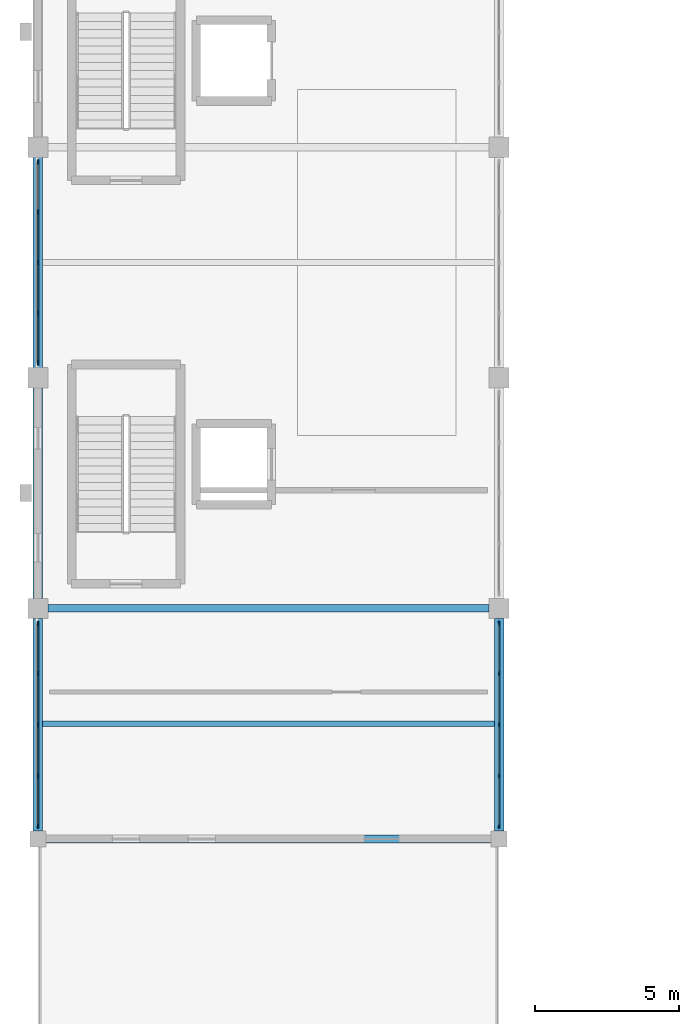
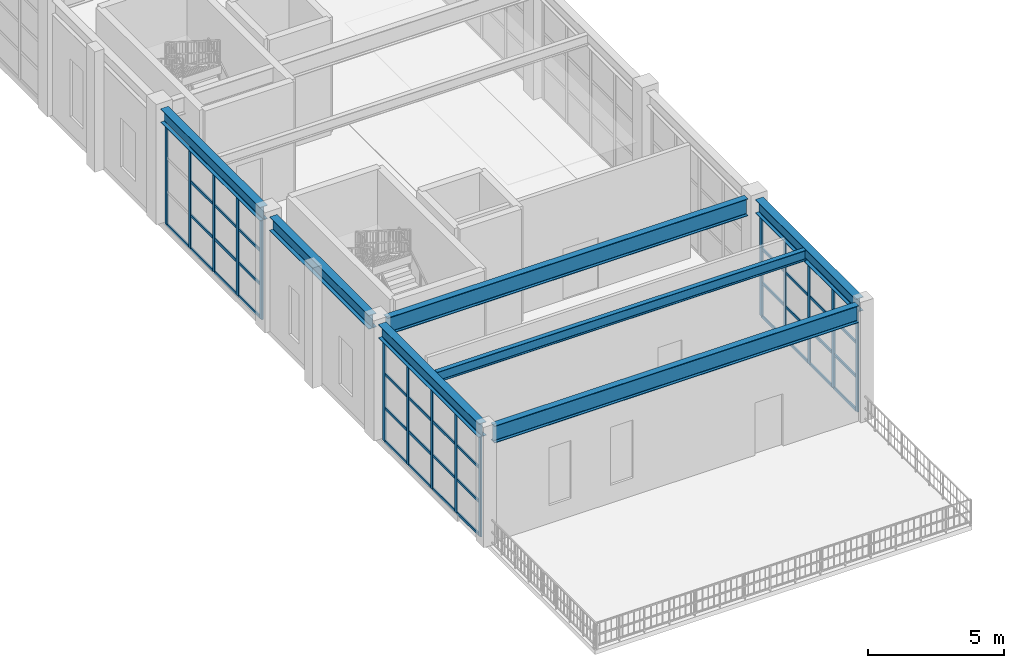
# One storey, part 14 of 82: 60 members, 7 beams, 3 elements without a shape of their own.
"""IFC4 building model written with IfcOpenShell, lengths in metres."""

from ifc_helpers import new_model, si_unit, direction, frame, origin, origin_2d, place, context, subcontext, project, spatial, rectangle, i_section, extrude, material, material_profile, profile_set, type_object, element, aggregate, save


model = new_model("IFC4")

# Units and contexts
model_context = context("Model", 3, precision=1e-05, world=origin(), true_north=direction((0.0, 1.0)))
body_context = subcontext(model_context, "Body", "Model", "MODEL_VIEW")
ifc_project = project(units=[si_unit("LENGTHUNIT", "METRE"), si_unit("AREAUNIT", "SQUARE_METRE"), si_unit("VOLUMEUNIT", "CUBIC_METRE"), si_unit("PLANEANGLEUNIT", "RADIAN"), si_unit("MASSUNIT", "GRAM", prefix="KILO")], contexts=[model_context])

# Site, building, storey
site_placement = place(None, origin())
site = spatial("IfcSite", under=ifc_project, at=site_placement, CompositionType="ELEMENT")
building_placement = place(site_placement, origin())
building = spatial("IfcBuilding", under=site, at=building_placement, Name="Serraluz Foothill Cableway Terminal", CompositionType="ELEMENT")
storey_placement = place(building_placement, frame((0.0, 0.0, 9.60009765625)))
storey = spatial("IfcBuildingStorey", under=building, at=storey_placement, Name="L02", CompositionType="ELEMENT", Elevation=9.60009765625)

# Beams
ifc_material_1 = material(Name="Steel ASTM A992 Grade 50", Category="steel")
ifc_material_profile_1 = material_profile(ifc_material_1, i_section(OverallWidth=0.324951171875, OverallDepth=0.615966796875, WebThickness=0.013916015625, FlangeThickness=0.021484375, FilletRadius=0.01806640625, at=origin_2d()), Name="W24X117")
ifc_profile_set_1 = profile_set([ifc_material_profile_1], Name="Steel ASTM A992 Grade 50")
beam_type_1 = type_object("IfcBeamType", Name="TYP-BM-W24X117", PredefinedType="BEAM", material=ifc_profile_set_1)
beam_1_placement = place(storey_placement, frame((0.0, 24.27099609375, 4.871826171875), z_axis=(0.0, 1.0, 0.0), x_axis=(-1.0, 0.0, 0.0)))
element("IfcBeam", 1, at=beam_1_placement, inside=storey, type_object=beam_type_1, Name="Transverse Girder BM-Y-L02-0322", PredefinedType="BEAM", context=body_context, shape_type="SweptSolid", body=[
    extrude(i_section(OverallWidth=0.324951171875, OverallDepth=0.615966796875, WebThickness=0.013916015625, FlangeThickness=0.021484375, FilletRadius=0.01806640625, at=origin_2d()), origin(), (0.0, 0.0, 1.0), 7.383056640625),
])
for number, where, z_axis, x_axis, name in (
    (2, (0.0, 32.345947265625, 4.841796875), (0.0, 1.0, 0.0), (-1.0, 0.0, 0.0), "Transverse Girder BM-Y-L02-0323"),
    (3, (0.0, 40.345947265625, 4.841796875), (0.0, 1.0, 0.0), (-1.0, 0.0, 0.0), "Transverse Girder BM-Y-L02-0324"),
):
    element("IfcBeam", number, at=place(storey_placement, frame(where, z_axis=z_axis, x_axis=x_axis)), inside=storey, type_object=beam_type_1, Name=name, PredefinedType="BEAM", context=body_context, shape_type="SweptSolid", body=[
        extrude(i_section(OverallWidth=0.324951171875, OverallDepth=0.615966796875, WebThickness=0.013916015625, FlangeThickness=0.021484375, FilletRadius=0.01806640625, at=origin_2d()), origin(), (0.0, 0.0, 1.0), 7.30810546875),
    ])
beam_2_placement = place(storey_placement, frame((16.0, 24.27099609375, 4.871826171875), z_axis=(0.0, 1.0, 0.0), x_axis=(-1.0, 0.0, 0.0)))
element("IfcBeam", 4, at=beam_2_placement, inside=storey, type_object=beam_type_1, Name="Transverse Girder BM-Y-L02-0326", PredefinedType="BEAM", context=body_context, shape_type="SweptSolid", body=[
    extrude(i_section(OverallWidth=0.324951171875, OverallDepth=0.615966796875, WebThickness=0.013916015625, FlangeThickness=0.021484375, FilletRadius=0.01806640625, at=origin_2d()), origin(), (0.0, 0.0, 1.0), 7.383056640625),
])
ifc_material_profile_2 = material_profile(ifc_material_1, i_section(OverallWidth=0.26806640625, OverallDepth=0.77001953125, WebThickness=0.015625, FlangeThickness=0.025390625, FilletRadius=0.02197265625, at=origin_2d()), Name="W30X132")
ifc_profile_set_2 = profile_set([ifc_material_profile_2], Name="Steel ASTM A992 Grade 50")
beam_type_2 = type_object("IfcBeamType", Name="TYP-BM-W30X132", PredefinedType="BEAM", material=ifc_profile_set_2)
beam_3_placement = place(storey_placement, frame((0.27099609375, 24.0, 4.794921875), z_axis=(1.0, 0.0, 0.0), x_axis=(0.0, 1.0, 0.0)))
element("IfcBeam", 5, at=beam_3_placement, inside=storey, type_object=beam_type_2, Name="Primary Girder BM-X-L02-0304", PredefinedType="BEAM", context=body_context, shape_type="SweptSolid", body=[
    extrude(i_section(OverallWidth=0.26806640625, OverallDepth=0.77001953125, WebThickness=0.015625, FlangeThickness=0.025390625, FilletRadius=0.02197265625, at=origin_2d()), origin(), (0.0, 0.0, 1.0), 15.4580078125),
])
beam_4_placement = place(storey_placement, frame((0.345947265625, 32.0, 4.764892578125), z_axis=(1.0, 0.0, 0.0), x_axis=(0.0, 1.0, 0.0)))
element("IfcBeam", 6, at=beam_4_placement, inside=storey, type_object=beam_type_2, Name="Primary Girder BM-X-L02-0305", PredefinedType="BEAM", context=body_context, shape_type="SweptSolid", body=[
    extrude(i_section(OverallWidth=0.26806640625, OverallDepth=0.77001953125, WebThickness=0.015625, FlangeThickness=0.025390625, FilletRadius=0.02197265625, at=origin_2d()), origin(), (0.0, 0.0, 1.0), 15.30810546875),
])

# Curtain wall, members
ifc_material_2 = material(Name="Architectural bronze alloy C28000", Category="aluminium")
curtain_wall_type_1 = type_object("IfcCurtainWallType", Name="TYP-CW-740X440", PredefinedType="NOTDEFINED", material=ifc_material_2)
curtain_wall_1_placement = place(storey_placement, origin())
curtain_wall_1 = element("IfcCurtainWall", 7, at=curtain_wall_1_placement, inside=storey, type_object=curtain_wall_type_1, Name="Ribbed Glazed Curtain Wall CW-V5W-L02-24", PredefinedType="NOTDEFINED")
ifc_material_profile_3 = material_profile(ifc_material_2, rectangle(XDim=0.06005859375, YDim=0.159912109375, at=origin_2d()), Name="ALU MULLION 60x160")
ifc_profile_set_3 = profile_set([ifc_material_profile_3], Name="Architectural bronze alloy C28000")
member_type_1 = type_object("IfcMemberType", Name="TYP-CW-MUL-60X160", PredefinedType="MULLION", material=ifc_profile_set_3)
member_1_placement = place(storey_placement, frame((0.0, 24.445068359375, 0.0), z_axis=(0.0, 0.0, 1.0), x_axis=(-1.0, 0.0, 0.0)))
member_1 = element("IfcMember", 8, at=member_1_placement, type_object=member_type_1, Name="CW-06 mullion 1", PredefinedType="MULLION", context=body_context, shape_type="SweptSolid", body=[
    extrude(rectangle(XDim=0.06005859375, YDim=0.159912109375, at=origin_2d()), origin(), (0.0, 0.0, 1.0), 4.56396484375),
])
member_2_placement = place(storey_placement, frame((0.0, 26.188720703125, 0.0), z_axis=(0.0, 0.0, 1.0), x_axis=(-1.0, 0.0, 0.0)))
member_2 = element("IfcMember", 9, at=member_2_placement, type_object=member_type_1, Name="CW-06 mullion 2", PredefinedType="MULLION", context=body_context, shape_type="SweptSolid", body=[
    extrude(rectangle(XDim=0.06005859375, YDim=0.159912109375, at=origin_2d()), origin(), (0.0, 0.0, 1.0), 4.56396484375),
])
member_3_placement = place(storey_placement, frame((0.0, 27.96240234375, 0.0), z_axis=(0.0, 0.0, 1.0), x_axis=(-1.0, 0.0, 0.0)))
member_3 = element("IfcMember", 10, at=member_3_placement, type_object=member_type_1, Name="CW-06 mullion 3", PredefinedType="MULLION", context=body_context, shape_type="SweptSolid", body=[
    extrude(rectangle(XDim=0.06005859375, YDim=0.159912109375, at=origin_2d()), origin(), (0.0, 0.0, 1.0), 4.56396484375),
])
member_4_placement = place(storey_placement, frame((0.0, 29.736328125, 0.0), z_axis=(0.0, 0.0, 1.0), x_axis=(-1.0, 0.0, 0.0)))
member_4 = element("IfcMember", 11, at=member_4_placement, type_object=member_type_1, Name="CW-06 mullion 4", PredefinedType="MULLION", context=body_context, shape_type="SweptSolid", body=[
    extrude(rectangle(XDim=0.06005859375, YDim=0.159912109375, at=origin_2d()), origin(), (0.0, 0.0, 1.0), 4.56396484375),
])
member_5_placement = place(storey_placement, frame((0.0, 31.47998046875, 0.0), z_axis=(0.0, 0.0, 1.0), x_axis=(-1.0, 0.0, 0.0)))
member_5 = element("IfcMember", 12, at=member_5_placement, type_object=member_type_1, Name="CW-06 mullion 5", PredefinedType="MULLION", context=body_context, shape_type="SweptSolid", body=[
    extrude(rectangle(XDim=0.06005859375, YDim=0.159912109375, at=origin_2d()), origin(), (0.0, 0.0, 1.0), 4.56396484375),
])

curtain_wall_type_2 = type_object("IfcCurtainWallType", Name="TYP-CW-640X440", PredefinedType="NOTDEFINED", material=ifc_material_2)
curtain_wall_2_placement = place(storey_placement, origin())
curtain_wall_2 = element("IfcCurtainWall", 13, at=curtain_wall_2_placement, inside=storey, type_object=curtain_wall_type_2, Name="Ribbed Glazed Curtain Wall CW-V5E-L02-24", PredefinedType="NOTDEFINED")
member_6_placement = place(storey_placement, frame((16.0, 31.47998046875, 0.0), z_axis=(0.0, 0.0, 1.0), x_axis=(1.0, 0.0, 0.0)))
member_6 = element("IfcMember", 14, at=member_6_placement, type_object=member_type_1, Name="CW-12 mullion 1", PredefinedType="MULLION", context=body_context, shape_type="SweptSolid", body=[
    extrude(rectangle(XDim=0.06005859375, YDim=0.159912109375, at=origin_2d()), origin(), (0.0, 0.0, 1.0), 4.56396484375),
])
member_7_placement = place(storey_placement, frame((16.0, 29.736328125, 0.0), z_axis=(0.0, 0.0, 1.0), x_axis=(1.0, 0.0, 0.0)))
member_7 = element("IfcMember", 15, at=member_7_placement, type_object=member_type_1, Name="CW-12 mullion 2", PredefinedType="MULLION", context=body_context, shape_type="SweptSolid", body=[
    extrude(rectangle(XDim=0.06005859375, YDim=0.159912109375, at=origin_2d()), origin(), (0.0, 0.0, 1.0), 4.56396484375),
])
member_8_placement = place(storey_placement, frame((16.0, 27.96240234375, 0.0), z_axis=(0.0, 0.0, 1.0), x_axis=(1.0, 0.0, 0.0)))
member_8 = element("IfcMember", 16, at=member_8_placement, type_object=member_type_1, Name="CW-12 mullion 3", PredefinedType="MULLION", context=body_context, shape_type="SweptSolid", body=[
    extrude(rectangle(XDim=0.06005859375, YDim=0.159912109375, at=origin_2d()), origin(), (0.0, 0.0, 1.0), 4.56396484375),
])
member_9_placement = place(storey_placement, frame((16.0, 26.188720703125, 0.0), z_axis=(0.0, 0.0, 1.0), x_axis=(1.0, 0.0, 0.0)))
member_9 = element("IfcMember", 17, at=member_9_placement, type_object=member_type_1, Name="CW-12 mullion 4", PredefinedType="MULLION", context=body_context, shape_type="SweptSolid", body=[
    extrude(rectangle(XDim=0.06005859375, YDim=0.159912109375, at=origin_2d()), origin(), (0.0, 0.0, 1.0), 4.56396484375),
])
member_10_placement = place(storey_placement, frame((16.0, 24.445068359375, 0.0), z_axis=(0.0, 0.0, 1.0), x_axis=(1.0, 0.0, 0.0)))
member_10 = element("IfcMember", 18, at=member_10_placement, type_object=member_type_1, Name="CW-12 mullion 5", PredefinedType="MULLION", context=body_context, shape_type="SweptSolid", body=[
    extrude(rectangle(XDim=0.06005859375, YDim=0.159912109375, at=origin_2d()), origin(), (0.0, 0.0, 1.0), 4.56396484375),
])

curtain_wall_type_3 = type_object("IfcCurtainWallType", Name="TYP-CW-520X440", PredefinedType="NOTDEFINED", material=ifc_material_2)
curtain_wall_3_placement = place(storey_placement, origin())
curtain_wall_3 = element("IfcCurtainWall", 19, at=curtain_wall_3_placement, inside=storey, type_object=curtain_wall_type_3, Name="Ribbed Glazed Curtain Wall CW-V5W-L02-40", PredefinedType="NOTDEFINED")
member_11_placement = place(storey_placement, frame((0.0, 40.52001953125, 0.0), z_axis=(0.0, 0.0, 1.0), x_axis=(-1.0, 0.0, 0.0)))
member_11 = element("IfcMember", 20, at=member_11_placement, type_object=member_type_1, Name="CW-08 mullion 1", PredefinedType="MULLION", context=body_context, shape_type="SweptSolid", body=[
    extrude(rectangle(XDim=0.06005859375, YDim=0.159912109375, at=origin_2d()), origin(), (0.0, 0.0, 1.0), 4.533935546875),
])
member_12_placement = place(storey_placement, frame((0.0, 42.2451171875, 0.0), z_axis=(0.0, 0.0, 1.0), x_axis=(-1.0, 0.0, 0.0)))
member_12 = element("IfcMember", 21, at=member_12_placement, type_object=member_type_1, Name="CW-08 mullion 2", PredefinedType="MULLION", context=body_context, shape_type="SweptSolid", body=[
    extrude(rectangle(XDim=0.06005859375, YDim=0.159912109375, at=origin_2d()), origin(), (0.0, 0.0, 1.0), 4.533935546875),
])
member_13_placement = place(storey_placement, frame((0.0, 44.0, 0.0), z_axis=(0.0, 0.0, 1.0), x_axis=(-1.0, 0.0, 0.0)))
member_13 = element("IfcMember", 22, at=member_13_placement, type_object=member_type_1, Name="CW-08 mullion 3", PredefinedType="MULLION", context=body_context, shape_type="SweptSolid", body=[
    extrude(rectangle(XDim=0.06005859375, YDim=0.159912109375, at=origin_2d()), origin(), (0.0, 0.0, 1.0), 4.533935546875),
])
member_14_placement = place(storey_placement, frame((0.0, 45.7548828125, 0.0), z_axis=(0.0, 0.0, 1.0), x_axis=(-1.0, 0.0, 0.0)))
member_14 = element("IfcMember", 23, at=member_14_placement, type_object=member_type_1, Name="CW-08 mullion 4", PredefinedType="MULLION", context=body_context, shape_type="SweptSolid", body=[
    extrude(rectangle(XDim=0.06005859375, YDim=0.159912109375, at=origin_2d()), origin(), (0.0, 0.0, 1.0), 4.533935546875),
])
member_15_placement = place(storey_placement, frame((0.0, 47.47998046875, 0.0), z_axis=(0.0, 0.0, 1.0), x_axis=(-1.0, 0.0, 0.0)))
member_15 = element("IfcMember", 24, at=member_15_placement, type_object=member_type_1, Name="CW-08 mullion 5", PredefinedType="MULLION", context=body_context, shape_type="SweptSolid", body=[
    extrude(rectangle(XDim=0.06005859375, YDim=0.159912109375, at=origin_2d()), origin(), (0.0, 0.0, 1.0), 4.533935546875),
])

# Member
ifc_material_profile_4 = material_profile(ifc_material_2, rectangle(XDim=0.06005859375, YDim=0.1201171875, at=origin_2d()), Name="ALU TRANSOM 60x120")
ifc_profile_set_4 = profile_set([ifc_material_profile_4], Name="Architectural bronze alloy C28000")
member_type_2 = type_object("IfcMemberType", Name="TYP-CW-TRN-60X120", PredefinedType="USERDEFINED", material=ifc_profile_set_4)
member_16_placement = place(storey_placement, frame((0.0, 24.47509765625, 0.02978515625), z_axis=(0.0, 1.0, 0.0), x_axis=(-1.0, 0.0, 0.0)))
member_16 = element("IfcMember", 25, at=member_16_placement, type_object=member_type_2, Name="CW-06 transom 1.1", ObjectType="TRANSOM", PredefinedType="USERDEFINED", context=body_context, shape_type="SweptSolid", body=[
    extrude(rectangle(XDim=0.06005859375, YDim=0.1201171875, at=origin_2d()), origin(), (0.0, 0.0, 1.0), 1.68359375),
])

member_17_placement = place(storey_placement, frame((0.0, 24.47509765625, 1.521240234375), z_axis=(0.0, 1.0, 0.0), x_axis=(-1.0, 0.0, 0.0)))
member_17 = element("IfcMember", 26, at=member_17_placement, type_object=member_type_2, Name="CW-06 transom 1.2", ObjectType="TRANSOM", PredefinedType="USERDEFINED", context=body_context, shape_type="SweptSolid", body=[
    extrude(rectangle(XDim=0.06005859375, YDim=0.1201171875, at=origin_2d()), origin(), (0.0, 0.0, 1.0), 1.68359375),
])

member_18_placement = place(storey_placement, frame((0.0, 24.47509765625, 3.04248046875), z_axis=(0.0, 1.0, 0.0), x_axis=(-1.0, 0.0, 0.0)))
member_18 = element("IfcMember", 27, at=member_18_placement, type_object=member_type_2, Name="CW-06 transom 1.3", ObjectType="TRANSOM", PredefinedType="USERDEFINED", context=body_context, shape_type="SweptSolid", body=[
    extrude(rectangle(XDim=0.06005859375, YDim=0.1201171875, at=origin_2d()), origin(), (0.0, 0.0, 1.0), 1.68359375),
])

member_19_placement = place(storey_placement, frame((0.0, 24.47509765625, 4.533935546875), z_axis=(0.0, 1.0, 0.0), x_axis=(-1.0, 0.0, 0.0)))
member_19 = element("IfcMember", 28, at=member_19_placement, type_object=member_type_2, Name="CW-06 transom 1.4", ObjectType="TRANSOM", PredefinedType="USERDEFINED", context=body_context, shape_type="SweptSolid", body=[
    extrude(rectangle(XDim=0.06005859375, YDim=0.1201171875, at=origin_2d()), origin(), (0.0, 0.0, 1.0), 1.68359375),
])

member_20_placement = place(storey_placement, frame((0.0, 26.21875, 0.02978515625), z_axis=(0.0, 1.0, 0.0), x_axis=(-1.0, 0.0, 0.0)))
member_20 = element("IfcMember", 29, at=member_20_placement, type_object=member_type_2, Name="CW-06 transom 2.1", ObjectType="TRANSOM", PredefinedType="USERDEFINED", context=body_context, shape_type="SweptSolid", body=[
    extrude(rectangle(XDim=0.06005859375, YDim=0.1201171875, at=origin_2d()), origin(), (0.0, 0.0, 1.0), 1.7138671875),
])

member_21_placement = place(storey_placement, frame((0.0, 26.21875, 1.521240234375), z_axis=(0.0, 1.0, 0.0), x_axis=(-1.0, 0.0, 0.0)))
member_21 = element("IfcMember", 30, at=member_21_placement, type_object=member_type_2, Name="CW-06 transom 2.2", ObjectType="TRANSOM", PredefinedType="USERDEFINED", context=body_context, shape_type="SweptSolid", body=[
    extrude(rectangle(XDim=0.06005859375, YDim=0.1201171875, at=origin_2d()), origin(), (0.0, 0.0, 1.0), 1.7138671875),
])

member_22_placement = place(storey_placement, frame((0.0, 26.21875, 3.04248046875), z_axis=(0.0, 1.0, 0.0), x_axis=(-1.0, 0.0, 0.0)))
member_22 = element("IfcMember", 31, at=member_22_placement, type_object=member_type_2, Name="CW-06 transom 2.3", ObjectType="TRANSOM", PredefinedType="USERDEFINED", context=body_context, shape_type="SweptSolid", body=[
    extrude(rectangle(XDim=0.06005859375, YDim=0.1201171875, at=origin_2d()), origin(), (0.0, 0.0, 1.0), 1.7138671875),
])

member_23_placement = place(storey_placement, frame((0.0, 26.21875, 4.533935546875), z_axis=(0.0, 1.0, 0.0), x_axis=(-1.0, 0.0, 0.0)))
member_23 = element("IfcMember", 32, at=member_23_placement, type_object=member_type_2, Name="CW-06 transom 2.4", ObjectType="TRANSOM", PredefinedType="USERDEFINED", context=body_context, shape_type="SweptSolid", body=[
    extrude(rectangle(XDim=0.06005859375, YDim=0.1201171875, at=origin_2d()), origin(), (0.0, 0.0, 1.0), 1.7138671875),
])

member_24_placement = place(storey_placement, frame((0.0, 27.992431640625, 0.02978515625), z_axis=(0.0, 1.0, 0.0), x_axis=(-1.0, 0.0, 0.0)))
member_24 = element("IfcMember", 33, at=member_24_placement, type_object=member_type_2, Name="CW-06 transom 3.1", ObjectType="TRANSOM", PredefinedType="USERDEFINED", context=body_context, shape_type="SweptSolid", body=[
    extrude(rectangle(XDim=0.06005859375, YDim=0.1201171875, at=origin_2d()), origin(), (0.0, 0.0, 1.0), 1.7138671875),
])

member_25_placement = place(storey_placement, frame((0.0, 27.992431640625, 1.521240234375), z_axis=(0.0, 1.0, 0.0), x_axis=(-1.0, 0.0, 0.0)))
member_25 = element("IfcMember", 34, at=member_25_placement, type_object=member_type_2, Name="CW-06 transom 3.2", ObjectType="TRANSOM", PredefinedType="USERDEFINED", context=body_context, shape_type="SweptSolid", body=[
    extrude(rectangle(XDim=0.06005859375, YDim=0.1201171875, at=origin_2d()), origin(), (0.0, 0.0, 1.0), 1.7138671875),
])

member_26_placement = place(storey_placement, frame((0.0, 27.992431640625, 3.04248046875), z_axis=(0.0, 1.0, 0.0), x_axis=(-1.0, 0.0, 0.0)))
member_26 = element("IfcMember", 35, at=member_26_placement, type_object=member_type_2, Name="CW-06 transom 3.3", ObjectType="TRANSOM", PredefinedType="USERDEFINED", context=body_context, shape_type="SweptSolid", body=[
    extrude(rectangle(XDim=0.06005859375, YDim=0.1201171875, at=origin_2d()), origin(), (0.0, 0.0, 1.0), 1.7138671875),
])

member_27_placement = place(storey_placement, frame((0.0, 27.992431640625, 4.533935546875), z_axis=(0.0, 1.0, 0.0), x_axis=(-1.0, 0.0, 0.0)))
member_27 = element("IfcMember", 36, at=member_27_placement, type_object=member_type_2, Name="CW-06 transom 3.4", ObjectType="TRANSOM", PredefinedType="USERDEFINED", context=body_context, shape_type="SweptSolid", body=[
    extrude(rectangle(XDim=0.06005859375, YDim=0.1201171875, at=origin_2d()), origin(), (0.0, 0.0, 1.0), 1.7138671875),
])

member_28_placement = place(storey_placement, frame((0.0, 29.766357421875, 0.02978515625), z_axis=(0.0, 1.0, 0.0), x_axis=(-1.0, 0.0, 0.0)))
member_28 = element("IfcMember", 37, at=member_28_placement, type_object=member_type_2, Name="CW-06 transom 4.1", ObjectType="TRANSOM", PredefinedType="USERDEFINED", context=body_context, shape_type="SweptSolid", body=[
    extrude(rectangle(XDim=0.06005859375, YDim=0.1201171875, at=origin_2d()), origin(), (0.0, 0.0, 1.0), 1.68359375),
])

member_29_placement = place(storey_placement, frame((0.0, 29.766357421875, 1.521240234375), z_axis=(0.0, 1.0, 0.0), x_axis=(-1.0, 0.0, 0.0)))
member_29 = element("IfcMember", 38, at=member_29_placement, type_object=member_type_2, Name="CW-06 transom 4.2", ObjectType="TRANSOM", PredefinedType="USERDEFINED", context=body_context, shape_type="SweptSolid", body=[
    extrude(rectangle(XDim=0.06005859375, YDim=0.1201171875, at=origin_2d()), origin(), (0.0, 0.0, 1.0), 1.68359375),
])

member_30_placement = place(storey_placement, frame((0.0, 29.766357421875, 3.04248046875), z_axis=(0.0, 1.0, 0.0), x_axis=(-1.0, 0.0, 0.0)))
member_30 = element("IfcMember", 39, at=member_30_placement, type_object=member_type_2, Name="CW-06 transom 4.3", ObjectType="TRANSOM", PredefinedType="USERDEFINED", context=body_context, shape_type="SweptSolid", body=[
    extrude(rectangle(XDim=0.06005859375, YDim=0.1201171875, at=origin_2d()), origin(), (0.0, 0.0, 1.0), 1.68359375),
])

member_31_placement = place(storey_placement, frame((0.0, 29.766357421875, 4.533935546875), z_axis=(0.0, 1.0, 0.0), x_axis=(-1.0, 0.0, 0.0)))
member_31 = element("IfcMember", 40, at=member_31_placement, type_object=member_type_2, Name="CW-06 transom 4.4", ObjectType="TRANSOM", PredefinedType="USERDEFINED", context=body_context, shape_type="SweptSolid", body=[
    extrude(rectangle(XDim=0.06005859375, YDim=0.1201171875, at=origin_2d()), origin(), (0.0, 0.0, 1.0), 1.68359375),
])

aggregate(curtain_wall_1, [member_1, member_2, member_3, member_4, member_5, member_16, member_17, member_18, member_19, member_20, member_21, member_22, member_23, member_24, member_25, member_26, member_27, member_28, member_29, member_30, member_31])

member_32_placement = place(storey_placement, frame((16.0, 31.449951171875, 0.02978515625), z_axis=(0.0, -1.0, 0.0), x_axis=(1.0, 0.0, 0.0)))
member_32 = element("IfcMember", 41, at=member_32_placement, type_object=member_type_2, Name="CW-12 transom 1.1", ObjectType="TRANSOM", PredefinedType="USERDEFINED", context=body_context, shape_type="SweptSolid", body=[
    extrude(rectangle(XDim=0.06005859375, YDim=0.1201171875, at=origin_2d()), origin(), (0.0, 0.0, 1.0), 1.68359375),
])

member_33_placement = place(storey_placement, frame((16.0, 31.449951171875, 1.521240234375), z_axis=(0.0, -1.0, 0.0), x_axis=(1.0, 0.0, 0.0)))
member_33 = element("IfcMember", 42, at=member_33_placement, type_object=member_type_2, Name="CW-12 transom 1.2", ObjectType="TRANSOM", PredefinedType="USERDEFINED", context=body_context, shape_type="SweptSolid", body=[
    extrude(rectangle(XDim=0.06005859375, YDim=0.1201171875, at=origin_2d()), origin(), (0.0, 0.0, 1.0), 1.68359375),
])

member_34_placement = place(storey_placement, frame((16.0, 31.449951171875, 3.04248046875), z_axis=(0.0, -1.0, 0.0), x_axis=(1.0, 0.0, 0.0)))
member_34 = element("IfcMember", 43, at=member_34_placement, type_object=member_type_2, Name="CW-12 transom 1.3", ObjectType="TRANSOM", PredefinedType="USERDEFINED", context=body_context, shape_type="SweptSolid", body=[
    extrude(rectangle(XDim=0.06005859375, YDim=0.1201171875, at=origin_2d()), origin(), (0.0, 0.0, 1.0), 1.68359375),
])

member_35_placement = place(storey_placement, frame((16.0, 31.449951171875, 4.533935546875), z_axis=(0.0, -1.0, 0.0), x_axis=(1.0, 0.0, 0.0)))
member_35 = element("IfcMember", 44, at=member_35_placement, type_object=member_type_2, Name="CW-12 transom 1.4", ObjectType="TRANSOM", PredefinedType="USERDEFINED", context=body_context, shape_type="SweptSolid", body=[
    extrude(rectangle(XDim=0.06005859375, YDim=0.1201171875, at=origin_2d()), origin(), (0.0, 0.0, 1.0), 1.68359375),
])

member_36_placement = place(storey_placement, frame((16.0, 29.706298828125, 0.02978515625), z_axis=(0.0, -1.0, 0.0), x_axis=(1.0, 0.0, 0.0)))
member_36 = element("IfcMember", 45, at=member_36_placement, type_object=member_type_2, Name="CW-12 transom 2.1", ObjectType="TRANSOM", PredefinedType="USERDEFINED", context=body_context, shape_type="SweptSolid", body=[
    extrude(rectangle(XDim=0.06005859375, YDim=0.1201171875, at=origin_2d()), origin(), (0.0, 0.0, 1.0), 1.7138671875),
])

member_37_placement = place(storey_placement, frame((16.0, 29.706298828125, 1.521240234375), z_axis=(0.0, -1.0, 0.0), x_axis=(1.0, 0.0, 0.0)))
member_37 = element("IfcMember", 46, at=member_37_placement, type_object=member_type_2, Name="CW-12 transom 2.2", ObjectType="TRANSOM", PredefinedType="USERDEFINED", context=body_context, shape_type="SweptSolid", body=[
    extrude(rectangle(XDim=0.06005859375, YDim=0.1201171875, at=origin_2d()), origin(), (0.0, 0.0, 1.0), 1.7138671875),
])

member_38_placement = place(storey_placement, frame((16.0, 29.706298828125, 3.04248046875), z_axis=(0.0, -1.0, 0.0), x_axis=(1.0, 0.0, 0.0)))
member_38 = element("IfcMember", 47, at=member_38_placement, type_object=member_type_2, Name="CW-12 transom 2.3", ObjectType="TRANSOM", PredefinedType="USERDEFINED", context=body_context, shape_type="SweptSolid", body=[
    extrude(rectangle(XDim=0.06005859375, YDim=0.1201171875, at=origin_2d()), origin(), (0.0, 0.0, 1.0), 1.7138671875),
])

member_39_placement = place(storey_placement, frame((16.0, 29.706298828125, 4.533935546875), z_axis=(0.0, -1.0, 0.0), x_axis=(1.0, 0.0, 0.0)))
member_39 = element("IfcMember", 48, at=member_39_placement, type_object=member_type_2, Name="CW-12 transom 2.4", ObjectType="TRANSOM", PredefinedType="USERDEFINED", context=body_context, shape_type="SweptSolid", body=[
    extrude(rectangle(XDim=0.06005859375, YDim=0.1201171875, at=origin_2d()), origin(), (0.0, 0.0, 1.0), 1.7138671875),
])

member_40_placement = place(storey_placement, frame((16.0, 27.9326171875, 0.02978515625), z_axis=(0.0, -1.0, 0.0), x_axis=(1.0, 0.0, 0.0)))
member_40 = element("IfcMember", 49, at=member_40_placement, type_object=member_type_2, Name="CW-12 transom 3.1", ObjectType="TRANSOM", PredefinedType="USERDEFINED", context=body_context, shape_type="SweptSolid", body=[
    extrude(rectangle(XDim=0.06005859375, YDim=0.1201171875, at=origin_2d()), origin(), (0.0, 0.0, 1.0), 1.7138671875),
])

member_41_placement = place(storey_placement, frame((16.0, 27.9326171875, 1.521240234375), z_axis=(0.0, -1.0, 0.0), x_axis=(1.0, 0.0, 0.0)))
member_41 = element("IfcMember", 50, at=member_41_placement, type_object=member_type_2, Name="CW-12 transom 3.2", ObjectType="TRANSOM", PredefinedType="USERDEFINED", context=body_context, shape_type="SweptSolid", body=[
    extrude(rectangle(XDim=0.06005859375, YDim=0.1201171875, at=origin_2d()), origin(), (0.0, 0.0, 1.0), 1.7138671875),
])

member_42_placement = place(storey_placement, frame((16.0, 27.9326171875, 3.04248046875), z_axis=(0.0, -1.0, 0.0), x_axis=(1.0, 0.0, 0.0)))
member_42 = element("IfcMember", 51, at=member_42_placement, type_object=member_type_2, Name="CW-12 transom 3.3", ObjectType="TRANSOM", PredefinedType="USERDEFINED", context=body_context, shape_type="SweptSolid", body=[
    extrude(rectangle(XDim=0.06005859375, YDim=0.1201171875, at=origin_2d()), origin(), (0.0, 0.0, 1.0), 1.7138671875),
])

member_43_placement = place(storey_placement, frame((16.0, 27.9326171875, 4.533935546875), z_axis=(0.0, -1.0, 0.0), x_axis=(1.0, 0.0, 0.0)))
member_43 = element("IfcMember", 52, at=member_43_placement, type_object=member_type_2, Name="CW-12 transom 3.4", ObjectType="TRANSOM", PredefinedType="USERDEFINED", context=body_context, shape_type="SweptSolid", body=[
    extrude(rectangle(XDim=0.06005859375, YDim=0.1201171875, at=origin_2d()), origin(), (0.0, 0.0, 1.0), 1.7138671875),
])

member_44_placement = place(storey_placement, frame((16.0, 26.15869140625, 0.02978515625), z_axis=(0.0, -1.0, 0.0), x_axis=(1.0, 0.0, 0.0)))
member_44 = element("IfcMember", 53, at=member_44_placement, type_object=member_type_2, Name="CW-12 transom 4.1", ObjectType="TRANSOM", PredefinedType="USERDEFINED", context=body_context, shape_type="SweptSolid", body=[
    extrude(rectangle(XDim=0.06005859375, YDim=0.1201171875, at=origin_2d()), origin(), (0.0, 0.0, 1.0), 1.68359375),
])

member_45_placement = place(storey_placement, frame((16.0, 26.15869140625, 1.521240234375), z_axis=(0.0, -1.0, 0.0), x_axis=(1.0, 0.0, 0.0)))
member_45 = element("IfcMember", 54, at=member_45_placement, type_object=member_type_2, Name="CW-12 transom 4.2", ObjectType="TRANSOM", PredefinedType="USERDEFINED", context=body_context, shape_type="SweptSolid", body=[
    extrude(rectangle(XDim=0.06005859375, YDim=0.1201171875, at=origin_2d()), origin(), (0.0, 0.0, 1.0), 1.68359375),
])

member_46_placement = place(storey_placement, frame((16.0, 26.15869140625, 3.04248046875), z_axis=(0.0, -1.0, 0.0), x_axis=(1.0, 0.0, 0.0)))
member_46 = element("IfcMember", 55, at=member_46_placement, type_object=member_type_2, Name="CW-12 transom 4.3", ObjectType="TRANSOM", PredefinedType="USERDEFINED", context=body_context, shape_type="SweptSolid", body=[
    extrude(rectangle(XDim=0.06005859375, YDim=0.1201171875, at=origin_2d()), origin(), (0.0, 0.0, 1.0), 1.68359375),
])

member_47_placement = place(storey_placement, frame((16.0, 26.15869140625, 4.533935546875), z_axis=(0.0, -1.0, 0.0), x_axis=(1.0, 0.0, 0.0)))
member_47 = element("IfcMember", 56, at=member_47_placement, type_object=member_type_2, Name="CW-12 transom 4.4", ObjectType="TRANSOM", PredefinedType="USERDEFINED", context=body_context, shape_type="SweptSolid", body=[
    extrude(rectangle(XDim=0.06005859375, YDim=0.1201171875, at=origin_2d()), origin(), (0.0, 0.0, 1.0), 1.68359375),
])

aggregate(curtain_wall_2, [member_6, member_7, member_8, member_9, member_10, member_32, member_33, member_34, member_35, member_36, member_37, member_38, member_39, member_40, member_41, member_42, member_43, member_44, member_45, member_46, member_47])

member_48_placement = place(storey_placement, frame((0.0, 40.550048828125, 0.02978515625), z_axis=(0.0, 1.0, 0.0), x_axis=(-1.0, 0.0, 0.0)))
member_48 = element("IfcMember", 57, at=member_48_placement, type_object=member_type_2, Name="CW-08 transom 1.1", ObjectType="TRANSOM", PredefinedType="USERDEFINED", context=body_context, shape_type="SweptSolid", body=[
    extrude(rectangle(XDim=0.06005859375, YDim=0.1201171875, at=origin_2d()), origin(), (0.0, 0.0, 1.0), 1.6650390625),
])

member_49_placement = place(storey_placement, frame((0.0, 40.550048828125, 1.51123046875), z_axis=(0.0, 1.0, 0.0), x_axis=(-1.0, 0.0, 0.0)))
member_49 = element("IfcMember", 58, at=member_49_placement, type_object=member_type_2, Name="CW-08 transom 1.2", ObjectType="TRANSOM", PredefinedType="USERDEFINED", context=body_context, shape_type="SweptSolid", body=[
    extrude(rectangle(XDim=0.06005859375, YDim=0.1201171875, at=origin_2d()), origin(), (0.0, 0.0, 1.0), 1.6650390625),
])

member_50_placement = place(storey_placement, frame((0.0, 40.550048828125, 3.022705078125), z_axis=(0.0, 1.0, 0.0), x_axis=(-1.0, 0.0, 0.0)))
member_50 = element("IfcMember", 59, at=member_50_placement, type_object=member_type_2, Name="CW-08 transom 1.3", ObjectType="TRANSOM", PredefinedType="USERDEFINED", context=body_context, shape_type="SweptSolid", body=[
    extrude(rectangle(XDim=0.06005859375, YDim=0.1201171875, at=origin_2d()), origin(), (0.0, 0.0, 1.0), 1.6650390625),
])

member_51_placement = place(storey_placement, frame((0.0, 40.550048828125, 4.50390625), z_axis=(0.0, 1.0, 0.0), x_axis=(-1.0, 0.0, 0.0)))
member_51 = element("IfcMember", 60, at=member_51_placement, type_object=member_type_2, Name="CW-08 transom 1.4", ObjectType="TRANSOM", PredefinedType="USERDEFINED", context=body_context, shape_type="SweptSolid", body=[
    extrude(rectangle(XDim=0.06005859375, YDim=0.1201171875, at=origin_2d()), origin(), (0.0, 0.0, 1.0), 1.6650390625),
])

member_52_placement = place(storey_placement, frame((0.0, 42.27490234375, 0.02978515625), z_axis=(0.0, 1.0, 0.0), x_axis=(-1.0, 0.0, 0.0)))
member_52 = element("IfcMember", 61, at=member_52_placement, type_object=member_type_2, Name="CW-08 transom 2.1", ObjectType="TRANSOM", PredefinedType="USERDEFINED", context=body_context, shape_type="SweptSolid", body=[
    extrude(rectangle(XDim=0.06005859375, YDim=0.1201171875, at=origin_2d()), origin(), (0.0, 0.0, 1.0), 1.695068359375),
])

member_53_placement = place(storey_placement, frame((0.0, 42.27490234375, 1.51123046875), z_axis=(0.0, 1.0, 0.0), x_axis=(-1.0, 0.0, 0.0)))
member_53 = element("IfcMember", 62, at=member_53_placement, type_object=member_type_2, Name="CW-08 transom 2.2", ObjectType="TRANSOM", PredefinedType="USERDEFINED", context=body_context, shape_type="SweptSolid", body=[
    extrude(rectangle(XDim=0.06005859375, YDim=0.1201171875, at=origin_2d()), origin(), (0.0, 0.0, 1.0), 1.695068359375),
])

member_54_placement = place(storey_placement, frame((0.0, 42.27490234375, 3.022705078125), z_axis=(0.0, 1.0, 0.0), x_axis=(-1.0, 0.0, 0.0)))
member_54 = element("IfcMember", 63, at=member_54_placement, type_object=member_type_2, Name="CW-08 transom 2.3", ObjectType="TRANSOM", PredefinedType="USERDEFINED", context=body_context, shape_type="SweptSolid", body=[
    extrude(rectangle(XDim=0.06005859375, YDim=0.1201171875, at=origin_2d()), origin(), (0.0, 0.0, 1.0), 1.695068359375),
])

member_55_placement = place(storey_placement, frame((0.0, 42.27490234375, 4.50390625), z_axis=(0.0, 1.0, 0.0), x_axis=(-1.0, 0.0, 0.0)))
member_55 = element("IfcMember", 64, at=member_55_placement, type_object=member_type_2, Name="CW-08 transom 2.4", ObjectType="TRANSOM", PredefinedType="USERDEFINED", context=body_context, shape_type="SweptSolid", body=[
    extrude(rectangle(XDim=0.06005859375, YDim=0.1201171875, at=origin_2d()), origin(), (0.0, 0.0, 1.0), 1.695068359375),
])

member_56_placement = place(storey_placement, frame((0.0, 44.030029296875, 0.02978515625), z_axis=(0.0, 1.0, 0.0), x_axis=(-1.0, 0.0, 0.0)))
member_56 = element("IfcMember", 65, at=member_56_placement, type_object=member_type_2, Name="CW-08 transom 3.1", ObjectType="TRANSOM", PredefinedType="USERDEFINED", context=body_context, shape_type="SweptSolid", body=[
    extrude(rectangle(XDim=0.06005859375, YDim=0.1201171875, at=origin_2d()), origin(), (0.0, 0.0, 1.0), 1.695068359375),
])

member_57_placement = place(storey_placement, frame((0.0, 44.030029296875, 1.51123046875), z_axis=(0.0, 1.0, 0.0), x_axis=(-1.0, 0.0, 0.0)))
member_57 = element("IfcMember", 66, at=member_57_placement, type_object=member_type_2, Name="CW-08 transom 3.2", ObjectType="TRANSOM", PredefinedType="USERDEFINED", context=body_context, shape_type="SweptSolid", body=[
    extrude(rectangle(XDim=0.06005859375, YDim=0.1201171875, at=origin_2d()), origin(), (0.0, 0.0, 1.0), 1.695068359375),
])

member_58_placement = place(storey_placement, frame((0.0, 44.030029296875, 3.022705078125), z_axis=(0.0, 1.0, 0.0), x_axis=(-1.0, 0.0, 0.0)))
member_58 = element("IfcMember", 67, at=member_58_placement, type_object=member_type_2, Name="CW-08 transom 3.3", ObjectType="TRANSOM", PredefinedType="USERDEFINED", context=body_context, shape_type="SweptSolid", body=[
    extrude(rectangle(XDim=0.06005859375, YDim=0.1201171875, at=origin_2d()), origin(), (0.0, 0.0, 1.0), 1.695068359375),
])

member_59_placement = place(storey_placement, frame((0.0, 44.030029296875, 4.50390625), z_axis=(0.0, 1.0, 0.0), x_axis=(-1.0, 0.0, 0.0)))
member_59 = element("IfcMember", 68, at=member_59_placement, type_object=member_type_2, Name="CW-08 transom 3.4", ObjectType="TRANSOM", PredefinedType="USERDEFINED", context=body_context, shape_type="SweptSolid", body=[
    extrude(rectangle(XDim=0.06005859375, YDim=0.1201171875, at=origin_2d()), origin(), (0.0, 0.0, 1.0), 1.695068359375),
])

member_60_placement = place(storey_placement, frame((0.0, 45.784912109375, 0.02978515625), z_axis=(0.0, 1.0, 0.0), x_axis=(-1.0, 0.0, 0.0)))
member_60 = element("IfcMember", 69, at=member_60_placement, type_object=member_type_2, Name="CW-08 transom 4.1", ObjectType="TRANSOM", PredefinedType="USERDEFINED", context=body_context, shape_type="SweptSolid", body=[
    extrude(rectangle(XDim=0.06005859375, YDim=0.1201171875, at=origin_2d()), origin(), (0.0, 0.0, 1.0), 1.6650390625),
])

aggregate(curtain_wall_3, [member_11, member_12, member_13, member_14, member_15, member_48, member_49, member_50, member_51, member_52, member_53, member_54, member_55, member_56, member_57, member_58, member_59, member_60])

# Beam
ifc_material_profile_5 = material_profile(ifc_material_1, i_section(OverallWidth=0.193115234375, OverallDepth=0.467041015625, WebThickness=0.011474609375, FlangeThickness=0.01904296875, FilletRadius=0.014892578125, at=origin_2d()), Name="W18X65")
ifc_profile_set_5 = profile_set([ifc_material_profile_5], Name="Steel ASTM A992 Grade 50")
beam_type_3 = type_object("IfcBeamType", Name="TYP-JS-W18X65", PredefinedType="JOIST", material=ifc_profile_set_5)
beam_5_placement = place(storey_placement, frame((0.16748046875, 28.0, 4.9462890625), z_axis=(1.0, 0.0, 0.0), x_axis=(0.0, 1.0, 0.0)))
element("IfcBeam", 70, at=beam_5_placement, inside=storey, type_object=beam_type_3, Name="Secondary Floor Joist JS-L02-0124", PredefinedType="JOIST", context=body_context, shape_type="SweptSolid", body=[
    extrude(i_section(OverallWidth=0.193115234375, OverallDepth=0.467041015625, WebThickness=0.011474609375, FlangeThickness=0.01904296875, FilletRadius=0.014892578125, at=origin_2d()), origin(), (0.0, 0.0, 1.0), 15.6650390625),
])

save(model, "model.ifc")
